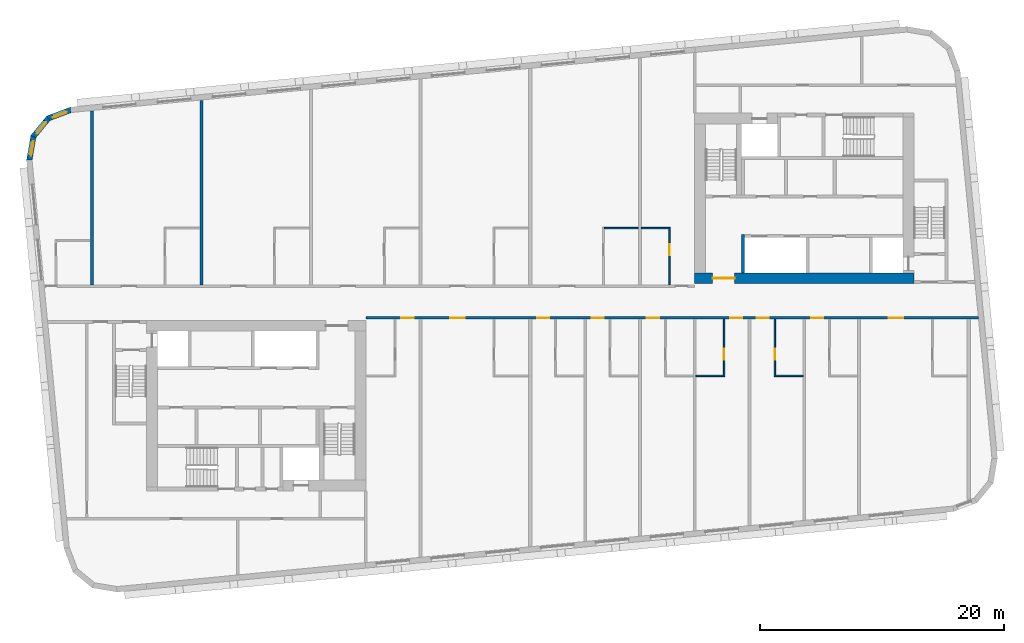
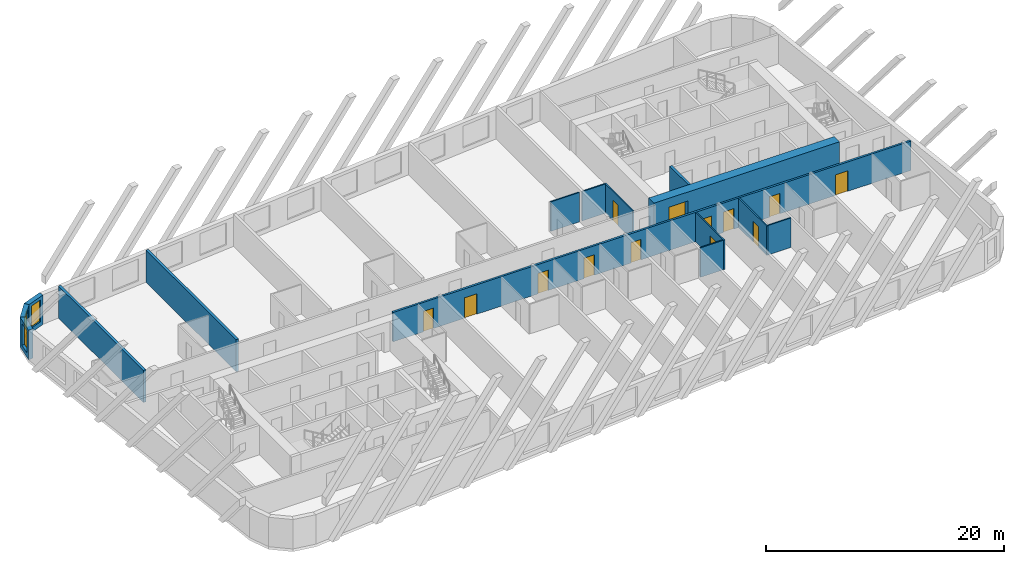
# One storey, part 5 of 12: 15 walls, 13 doors, 3 windows, 16 openings.
"""IFC4 building model written with IfcOpenShell, lengths in metres."""

from ifc_helpers import new_model, si_unit, direction, frame, frame_2d, origin, place, context, subcontext, project, spatial, polyline, rectangle, outline, extrude, material, layer, layer_set, type_object, element, fill, save


model = new_model("IFC4")

# Units and contexts
model_context = context("Model", 3, precision=1e-05, world=origin(), true_north=direction((0.0, 1.0)))
body_context = subcontext(model_context, "Body", "Model", "MODEL_VIEW")
ifc_project = project(units=[si_unit("LENGTHUNIT", "METRE"), si_unit("AREAUNIT", "SQUARE_METRE"), si_unit("VOLUMEUNIT", "CUBIC_METRE"), si_unit("PLANEANGLEUNIT", "RADIAN"), si_unit("MASSUNIT", "GRAM", prefix="KILO")], contexts=[model_context])

# Site, building, storey
site_placement = place(None, origin())
site = spatial("IfcSite", under=ifc_project, at=site_placement, CompositionType="ELEMENT")
building_placement = place(site_placement, origin())
building = spatial("IfcBuilding", under=site, at=building_placement, Name="Kajstack Hotel Tower", CompositionType="ELEMENT")
storey_placement = place(building_placement, frame((0.0, 0.0, 278.39990234375)))
storey = spatial("IfcBuildingStorey", under=building, at=storey_placement, Name="L69", CompositionType="ELEMENT", Elevation=278.39990234375)

# Wall, opening, door
ifc_material_1 = material(Name="Concrete C60/75", Category="concrete")
ifc_layer_1 = layer(ifc_material_1, 0.89990234375)
ifc_layer_set_1 = layer_set([ifc_layer_1], Name="Core wall 900")
wall_type_1 = type_object("IfcWallType", Name="Core wall 900", PredefinedType="SHEAR", material=ifc_layer_set_1)
wall_1_placement = place(storey_placement, frame((13.5, 1.949951171875, 0.0), z_axis=(0.0, 0.0, 1.0), x_axis=(1.0, 0.0, 0.0)))
wall_1 = element("IfcWall", 1, at=wall_1_placement, inside=storey, type_object=wall_type_1, Name="Core wall E RN", PredefinedType="SHEAR", context=body_context, shape_type="SweptSolid", body=[
    extrude(rectangle(XDim=18.0, YDim=0.89990234375, at=frame_2d((9.0, 0.0))), origin(), (0.0, 0.0, 1.0), 3.02001953125),
])
opening_1_placement = place(wall_1_placement, frame((1.47509765625, 0.0, 0.0)))
opening_1 = element("IfcOpeningElement", 2, at=opening_1_placement, cuts=wall_1, Name="Opening 69E05", PredefinedType="OPENING", context=body_context, shape_type="SweptSolid", body=[
    extrude(rectangle(XDim=1.800048828125, YDim=2.10009765625, at=frame_2d((0.89990234375, 1.050048828125))), frame((0.0, 0.4599609375, 0.0), z_axis=(0.0, -1.0, 0.0), x_axis=(1.0, 0.0, 0.0)), (0.0, 0.0, 1.0), 0.919921875),
])
ifc_material_2 = material(Name="Glazed steel frame, fire-rated glass", Category="steel")
door_type_1 = type_object("IfcDoorType", Name="Lobby double door 1800", OperationType="DOUBLE_DOOR_DOUBLE_SWING", PredefinedType="DOOR", material=ifc_material_2)
door_1_placement = place(opening_1_placement, origin())
door_1 = element("IfcDoor", 3, at=door_1_placement, inside=storey, type_object=door_type_1, Name="Door 69E05", OperationType="DOUBLE_DOOR_DOUBLE_SWING", OverallHeight=2.10009765625, OverallWidth=1.800048828125, PredefinedType="DOOR", context=body_context, shape_type="SweptSolid", body=[
    extrude(rectangle(XDim=1.800048828125, YDim=2.10009765625, at=frame_2d((0.89990234375, 1.050048828125))), frame((0.0, 0.02490234375, 0.0), z_axis=(0.0, -1.0, 0.0), x_axis=(1.0, 0.0, 0.0)), (0.0, 0.0, 1.0), 0.050048828125),
])
fill(opening_1, door_1)

# Wall, openings, doors
ifc_material_3 = material(Name="Gypsum board on steel studs, mineral wool", Category="steel")
ifc_layer_2 = layer(ifc_material_3, 0.199951171875)
ifc_layer_set_2 = layer_set([ifc_layer_2], Name="Corridor wall 200")
wall_type_2 = type_object("IfcWallType", Name="Corridor wall 200", PredefinedType="PARTITIONING", material=ifc_layer_set_2)
wall_2_placement = place(storey_placement, frame((-13.5, -1.300048828125, 0.0), z_axis=(0.0, 0.0, 1.0), x_axis=(1.0, 0.0, 0.0)))
wall_2 = element("IfcWall", 4, at=wall_2_placement, inside=storey, type_object=wall_type_2, Name="G-wall-L69-018", PredefinedType="PARTITIONING", context=body_context, shape_type="SweptSolid", body=[
    extrude(rectangle(XDim=50.29296875, YDim=0.199951171875, at=frame_2d((25.146484375, 0.0))), origin(), (0.0, 0.0, 1.0), 3.02001953125),
])
opening_2_placement = place(wall_2_placement, frame((2.925048828125, 0.0, 0.0)))
opening_2 = element("IfcOpeningElement", 5, at=opening_2_placement, cuts=wall_2, Name="Opening 69015", PredefinedType="OPENING", context=body_context, shape_type="SweptSolid", body=[
    extrude(rectangle(XDim=1.0, YDim=2.10009765625, at=frame_2d((0.5, 1.050048828125))), frame((0.0, 0.10986328125, 0.0), z_axis=(0.0, -1.0, 0.0), x_axis=(1.0, 0.0, 0.0)), (0.0, 0.0, 1.0), 0.219970703125),
])
opening_3_placement = place(wall_2_placement, frame((6.93798828125, 0.0, 0.0)))
opening_3 = element("IfcOpeningElement", 6, at=opening_3_placement, cuts=wall_2, Name="Opening 69017", PredefinedType="OPENING", context=body_context, shape_type="SweptSolid", body=[
    extrude(rectangle(XDim=1.199951171875, YDim=2.10009765625, at=frame_2d((0.60009765625, 1.050048828125))), frame((0.0, 0.10986328125, 0.0), z_axis=(0.0, -1.0, 0.0), x_axis=(1.0, 0.0, 0.0)), (0.0, 0.0, 1.0), 0.219970703125),
])
opening_4_placement = place(wall_2_placement, frame((14.074951171875, 0.0, 0.0)))
opening_4 = element("IfcOpeningElement", 7, at=opening_4_placement, cuts=wall_2, Name="Opening 69019", PredefinedType="OPENING", context=body_context, shape_type="SweptSolid", body=[
    extrude(rectangle(XDim=1.0, YDim=2.10009765625, at=frame_2d((0.5, 1.050048828125))), frame((0.0, 0.10986328125, 0.0), z_axis=(0.0, -1.0, 0.0), x_axis=(1.0, 0.0, 0.0)), (0.0, 0.0, 1.0), 0.219970703125),
])
opening_5_placement = place(wall_2_placement, frame((18.550048828125, 0.0, 0.0)))
opening_5 = element("IfcOpeningElement", 8, at=opening_5_placement, cuts=wall_2, Name="Opening 69021", PredefinedType="OPENING", context=body_context, shape_type="SweptSolid", body=[
    extrude(rectangle(XDim=1.0, YDim=2.10009765625, at=frame_2d((0.5, 1.050048828125))), frame((0.0, 0.10986328125, 0.0), z_axis=(0.0, -1.0, 0.0), x_axis=(1.0, 0.0, 0.0)), (0.0, 0.0, 1.0), 0.219970703125),
])
opening_6_placement = place(wall_2_placement, frame((23.074951171875, 0.0, 0.0)))
opening_6 = element("IfcOpeningElement", 9, at=opening_6_placement, cuts=wall_2, Name="Opening 69023", PredefinedType="OPENING", context=body_context, shape_type="SweptSolid", body=[
    extrude(rectangle(XDim=1.0, YDim=2.10009765625, at=frame_2d((0.5, 1.050048828125))), frame((0.0, 0.10986328125, 0.0), z_axis=(0.0, -1.0, 0.0), x_axis=(1.0, 0.0, 0.0)), (0.0, 0.0, 1.0), 0.219970703125),
])
opening_7_placement = place(wall_2_placement, frame((29.925048828125, 0.0, 0.0)))
opening_7 = element("IfcOpeningElement", 10, at=opening_7_placement, cuts=wall_2, Name="Opening 69025", PredefinedType="OPENING", context=body_context, shape_type="SweptSolid", body=[
    extrude(rectangle(XDim=1.0, YDim=2.10009765625, at=frame_2d((0.5, 1.050048828125))), frame((0.0, 0.10986328125, 0.0), z_axis=(0.0, -1.0, 0.0), x_axis=(1.0, 0.0, 0.0)), (0.0, 0.0, 1.0), 0.219970703125),
])
opening_8_placement = place(wall_2_placement, frame((32.074951171875, 0.0, 0.0)))
opening_8 = element("IfcOpeningElement", 11, at=opening_8_placement, cuts=wall_2, Name="Opening 69027", PredefinedType="OPENING", context=body_context, shape_type="SweptSolid", body=[
    extrude(rectangle(XDim=1.0, YDim=2.10009765625, at=frame_2d((0.5, 1.050048828125))), frame((0.0, 0.10986328125, 0.0), z_axis=(0.0, -1.0, 0.0), x_axis=(1.0, 0.0, 0.0)), (0.0, 0.0, 1.0), 0.219970703125),
])
opening_9_placement = place(wall_2_placement, frame((36.550048828125, 0.0, 0.0)))
opening_9 = element("IfcOpeningElement", 12, at=opening_9_placement, cuts=wall_2, Name="Opening 69029", PredefinedType="OPENING", context=body_context, shape_type="SweptSolid", body=[
    extrude(rectangle(XDim=1.0, YDim=2.10009765625, at=frame_2d((0.5, 1.050048828125))), frame((0.0, 0.10986328125, 0.0), z_axis=(0.0, -1.0, 0.0), x_axis=(1.0, 0.0, 0.0)), (0.0, 0.0, 1.0), 0.219970703125),
])
opening_10_placement = place(wall_2_placement, frame((42.93798828125, 0.0, 0.0)))
opening_10 = element("IfcOpeningElement", 13, at=opening_10_placement, cuts=wall_2, Name="Opening 69031", PredefinedType="OPENING", context=body_context, shape_type="SweptSolid", body=[
    extrude(rectangle(XDim=1.199951171875, YDim=2.10009765625, at=frame_2d((0.60009765625, 1.050048828125))), frame((0.0, 0.10986328125, 0.0), z_axis=(0.0, -1.0, 0.0), x_axis=(1.0, 0.0, 0.0)), (0.0, 0.0, 1.0), 0.219970703125),
])
ifc_material_4 = material(Name="Oak veneer on timber core, fire-rated leaf", Category="wood")
door_type_2 = type_object("IfcDoorType", Name="Flat entrance door 1000", OperationType="SINGLE_SWING_LEFT", PredefinedType="DOOR", material=ifc_material_4)
door_2_placement = place(opening_2_placement, origin())
door_2 = element("IfcDoor", 14, at=door_2_placement, inside=storey, type_object=door_type_2, Name="G-door-L69-15", OperationType="SINGLE_SWING_LEFT", OverallHeight=2.10009765625, OverallWidth=1.0, PredefinedType="DOOR", context=body_context, shape_type="SweptSolid", body=[
    extrude(rectangle(XDim=1.0, YDim=2.10009765625, at=frame_2d((0.5, 1.050048828125))), frame((0.0, 0.02490234375, 0.0), z_axis=(0.0, -1.0, 0.0), x_axis=(1.0, 0.0, 0.0)), (0.0, 0.0, 1.0), 0.050048828125),
])
fill(opening_2, door_2)
door_3_placement = place(opening_4_placement, origin())
door_3 = element("IfcDoor", 15, at=door_3_placement, inside=storey, type_object=door_type_2, Name="G-door-L69-19", OperationType="SINGLE_SWING_LEFT", OverallHeight=2.10009765625, OverallWidth=1.0, PredefinedType="DOOR", context=body_context, shape_type="SweptSolid", body=[
    extrude(rectangle(XDim=1.0, YDim=2.10009765625, at=frame_2d((0.5, 1.050048828125))), frame((0.0, 0.02490234375, 0.0), z_axis=(0.0, -1.0, 0.0), x_axis=(1.0, 0.0, 0.0)), (0.0, 0.0, 1.0), 0.050048828125),
])
fill(opening_4, door_3)
door_4_placement = place(opening_5_placement, origin())
door_4 = element("IfcDoor", 16, at=door_4_placement, inside=storey, type_object=door_type_2, Name="G-door-L69-21", OperationType="SINGLE_SWING_RIGHT", OverallHeight=2.10009765625, OverallWidth=1.0, PredefinedType="DOOR", context=body_context, shape_type="SweptSolid", body=[
    extrude(rectangle(XDim=1.0, YDim=2.10009765625, at=frame_2d((0.5, 1.050048828125))), frame((0.0, 0.02490234375, 0.0), z_axis=(0.0, -1.0, 0.0), x_axis=(1.0, 0.0, 0.0)), (0.0, 0.0, 1.0), 0.050048828125),
])
fill(opening_5, door_4)
door_5_placement = place(opening_6_placement, origin())
door_5 = element("IfcDoor", 17, at=door_5_placement, inside=storey, type_object=door_type_2, Name="G-door-L69-23", OperationType="SINGLE_SWING_LEFT", OverallHeight=2.10009765625, OverallWidth=1.0, PredefinedType="DOOR", context=body_context, shape_type="SweptSolid", body=[
    extrude(rectangle(XDim=1.0, YDim=2.10009765625, at=frame_2d((0.5, 1.050048828125))), frame((0.0, 0.02490234375, 0.0), z_axis=(0.0, -1.0, 0.0), x_axis=(1.0, 0.0, 0.0)), (0.0, 0.0, 1.0), 0.050048828125),
])
fill(opening_6, door_5)
door_6_placement = place(opening_7_placement, origin())
door_6 = element("IfcDoor", 18, at=door_6_placement, inside=storey, type_object=door_type_2, Name="G-door-L69-25", OperationType="SINGLE_SWING_LEFT", OverallHeight=2.10009765625, OverallWidth=1.0, PredefinedType="DOOR", context=body_context, shape_type="SweptSolid", body=[
    extrude(rectangle(XDim=1.0, YDim=2.10009765625, at=frame_2d((0.5, 1.050048828125))), frame((0.0, 0.02490234375, 0.0), z_axis=(0.0, -1.0, 0.0), x_axis=(1.0, 0.0, 0.0)), (0.0, 0.0, 1.0), 0.050048828125),
])
fill(opening_7, door_6)
door_7_placement = place(opening_8_placement, origin())
door_7 = element("IfcDoor", 19, at=door_7_placement, inside=storey, type_object=door_type_2, Name="G-door-L69-27", OperationType="SINGLE_SWING_RIGHT", OverallHeight=2.10009765625, OverallWidth=1.0, PredefinedType="DOOR", context=body_context, shape_type="SweptSolid", body=[
    extrude(rectangle(XDim=1.0, YDim=2.10009765625, at=frame_2d((0.5, 1.050048828125))), frame((0.0, 0.02490234375, 0.0), z_axis=(0.0, -1.0, 0.0), x_axis=(1.0, 0.0, 0.0)), (0.0, 0.0, 1.0), 0.050048828125),
])
fill(opening_8, door_7)
door_8_placement = place(opening_9_placement, origin())
door_8 = element("IfcDoor", 20, at=door_8_placement, inside=storey, type_object=door_type_2, Name="G-door-L69-29", OperationType="SINGLE_SWING_RIGHT", OverallHeight=2.10009765625, OverallWidth=1.0, PredefinedType="DOOR", context=body_context, shape_type="SweptSolid", body=[
    extrude(rectangle(XDim=1.0, YDim=2.10009765625, at=frame_2d((0.5, 1.050048828125))), frame((0.0, 0.02490234375, 0.0), z_axis=(0.0, -1.0, 0.0), x_axis=(1.0, 0.0, 0.0)), (0.0, 0.0, 1.0), 0.050048828125),
])
fill(opening_9, door_8)
door_type_3 = type_object("IfcDoorType", Name="Flat entrance door 1200", OperationType="SINGLE_SWING_LEFT", PredefinedType="DOOR", material=ifc_material_4)
door_9_placement = place(opening_3_placement, origin())
door_9 = element("IfcDoor", 21, at=door_9_placement, inside=storey, type_object=door_type_3, Name="G-door-L69-17", OperationType="SINGLE_SWING_LEFT", OverallHeight=2.10009765625, OverallWidth=1.199951171875, PredefinedType="DOOR", context=body_context, shape_type="SweptSolid", body=[
    extrude(rectangle(XDim=1.199951171875, YDim=2.10009765625, at=frame_2d((0.60009765625, 1.050048828125))), frame((0.0, 0.02490234375, 0.0), z_axis=(0.0, -1.0, 0.0), x_axis=(1.0, 0.0, 0.0)), (0.0, 0.0, 1.0), 0.050048828125),
])
fill(opening_3, door_9)
door_10_placement = place(opening_10_placement, origin())
door_10 = element("IfcDoor", 22, at=door_10_placement, inside=storey, type_object=door_type_3, Name="G-door-L69-31", OperationType="SINGLE_SWING_LEFT", OverallHeight=2.10009765625, OverallWidth=1.199951171875, PredefinedType="DOOR", context=body_context, shape_type="SweptSolid", body=[
    extrude(rectangle(XDim=1.199951171875, YDim=2.10009765625, at=frame_2d((0.60009765625, 1.050048828125))), frame((0.0, 0.02490234375, 0.0), z_axis=(0.0, -1.0, 0.0), x_axis=(1.0, 0.0, 0.0)), (0.0, 0.0, 1.0), 0.050048828125),
])
fill(opening_10, door_10)

# Wall, opening, window
ifc_material_5 = material(Name="Terracotta-faced brick masonry", Category="masonry")
ifc_layer_3 = layer(ifc_material_5, 0.449951171875)
ifc_layer_set_3 = layer_set([ifc_layer_3], Name="EW-TERRA")
wall_type_3 = type_object("IfcWallType", Name="EW-TERRA", PredefinedType="SOLIDWALL", material=ifc_layer_set_3)
wall_3_placement = place(storey_placement, frame((-37.67919921875, 15.79052734375, 0.0), z_axis=(0.0, 0.0, 1.0), x_axis=(-0.936677599948, -0.350192909346, 0.0)))
wall_3 = element("IfcWall", 23, at=wall_3_placement, inside=storey, type_object=wall_type_3, Name="E-wall-L69-13-00", PredefinedType="SOLIDWALL", context=body_context, shape_type="SweptSolid", body=[
    extrude(outline(polyline([(0.000244140625, -0.224853515625), (2.070556640625, -0.224853515625), (1.949951171875, 0.22509765625), (0.12060546875, 0.22509765625), (0.000244140625, -0.224853515625)])), origin(), (0.0, 0.0, 1.0), 3.02001953125),
])
opening_11_placement = place(wall_3_placement, frame((0.435302734375, 0.0, 0.449951171875)))
opening_11 = element("IfcOpeningElement", 24, at=opening_11_placement, cuts=wall_3, Name="Opening W3", PredefinedType="OPENING", context=body_context, shape_type="SweptSolid", body=[
    extrude(rectangle(XDim=1.199951171875, YDim=2.25, at=frame_2d((0.60009765625, 1.125))), frame((0.0, 0.23486328125, 0.0), z_axis=(0.0, -1.0, 0.0), x_axis=(1.0, 0.0, 0.0)), (0.0, 0.0, 1.0), 0.469970703125),
])
ifc_material_6 = material(Name="Timber-aluminium window, triple glazed", Category="wood")
window_type = type_object("IfcWindowType", Name="WG3", PartitioningType="SINGLE_PANEL", PredefinedType="WINDOW", material=ifc_material_6)
window_1_placement = place(opening_11_placement, origin())
window_1 = element("IfcWindow", 25, at=window_1_placement, inside=storey, type_object=window_type, Name="Window W3 L69-13", OverallHeight=2.25, OverallWidth=1.199951171875, PartitioningType="SINGLE_PANEL", PredefinedType="WINDOW", context=body_context, shape_type="SweptSolid", body=[
    extrude(rectangle(XDim=1.199951171875, YDim=2.25, at=frame_2d((0.60009765625, 1.125))), frame((0.0, 0.090087890625, 0.0), z_axis=(0.0, -1.0, 0.0), x_axis=(1.0, 0.0, 0.0)), (0.0, 0.0, 1.0), 0.06005859375),
])
fill(opening_11, window_1)

wall_4_placement = place(storey_placement, frame((-39.52392578125, 15.133056640625, 0.0), z_axis=(0.0, 0.0, 1.0), x_axis=(-0.636046112757, -0.771651049663, 0.0)))
wall_4 = element("IfcWall", 26, at=wall_4_placement, inside=storey, type_object=wall_type_3, Name="E-wall-L69-14-00", PredefinedType="SOLIDWALL", context=body_context, shape_type="SweptSolid", body=[
    extrude(outline(polyline([(0.0, -0.224853515625), (2.070556640625, -0.224853515625), (1.949951171875, 0.22509765625), (0.12060546875, 0.22509765625), (0.0, -0.224853515625)])), origin(), (0.0, 0.0, 1.0), 3.02001953125),
])
opening_12_placement = place(wall_4_placement, frame((0.435302734375, 0.0, 0.449951171875)))
opening_12 = element("IfcOpeningElement", 27, at=opening_12_placement, cuts=wall_4, Name="Opening W3", PredefinedType="OPENING", context=body_context, shape_type="SweptSolid", body=[
    extrude(rectangle(XDim=1.199951171875, YDim=2.25, at=frame_2d((0.60009765625, 1.125))), frame((0.0, 0.23486328125, 0.0), z_axis=(0.0, -1.0, 0.0), x_axis=(1.0, 0.0, 0.0)), (0.0, 0.0, 1.0), 0.469970703125),
])
window_2_placement = place(opening_12_placement, origin())
window_2 = element("IfcWindow", 28, at=window_2_placement, inside=storey, type_object=window_type, Name="Window W3 L69-14", OverallHeight=2.25, OverallWidth=1.199951171875, PartitioningType="SINGLE_PANEL", PredefinedType="WINDOW", context=body_context, shape_type="SweptSolid", body=[
    extrude(rectangle(XDim=1.199951171875, YDim=2.25, at=frame_2d((0.60009765625, 1.125))), frame((0.0, 0.090087890625, 0.0), z_axis=(0.0, -1.0, 0.0), x_axis=(1.0, 0.0, 0.0)), (0.0, 0.0, 1.0), 0.06005859375),
])
fill(opening_12, window_2)

wall_5_placement = place(storey_placement, frame((-40.79248046875, 13.641357421875, 0.0), z_axis=(0.0, 0.0, 1.0), x_axis=(-0.165068144653, -0.986282164302, 0.0)))
wall_5 = element("IfcWall", 29, at=wall_5_placement, inside=storey, type_object=wall_type_3, Name="E-wall-L69-15-00", PredefinedType="SOLIDWALL", context=body_context, shape_type="SweptSolid", body=[
    extrude(outline(polyline([(0.0, -0.22509765625), (2.070556640625, -0.22509765625), (1.949951171875, 0.224853515625), (0.12060546875, 0.224853515625), (0.0, -0.22509765625)])), origin(), (0.0, 0.0, 1.0), 3.02001953125),
])
opening_13_placement = place(wall_5_placement, frame((0.435302734375, 0.0, 0.449951171875)))
opening_13 = element("IfcOpeningElement", 30, at=opening_13_placement, cuts=wall_5, Name="Opening W3", PredefinedType="OPENING", context=body_context, shape_type="SweptSolid", body=[
    extrude(rectangle(XDim=1.199951171875, YDim=2.25, at=frame_2d((0.60009765625, 1.125))), frame((0.0, 0.23486328125, 0.0), z_axis=(0.0, -1.0, 0.0), x_axis=(1.0, 0.0, 0.0)), (0.0, 0.0, 1.0), 0.469970703125),
])
window_3_placement = place(opening_13_placement, origin())
window_3 = element("IfcWindow", 31, at=window_3_placement, inside=storey, type_object=window_type, Name="Window W3 L69-15", OverallHeight=2.25, OverallWidth=1.199951171875, PartitioningType="SINGLE_PANEL", PredefinedType="WINDOW", context=body_context, shape_type="SweptSolid", body=[
    extrude(rectangle(XDim=1.199951171875, YDim=2.25, at=frame_2d((0.60009765625, 1.125))), frame((0.0, 0.090087890625, 0.0), z_axis=(0.0, -1.0, 0.0), x_axis=(1.0, 0.0, 0.0)), (0.0, 0.0, 1.0), 0.06005859375),
])
fill(opening_13, window_3)

# Wall
ifc_material_7 = material(Name="Gypsum board and tiled backer on steel studs", Category="steel")
ifc_layer_4 = layer(ifc_material_7, 0.125)
ifc_layer_set_4 = layer_set([ifc_layer_4], Name="En-suite wall 125")
wall_type_4 = type_object("IfcWallType", Name="En-suite wall 125", PredefinedType="PARTITIONING", material=ifc_layer_set_4)
wall_6_placement = place(storey_placement, frame((6.074951171875, 6.06201171875, 0.0), z_axis=(0.0, 0.0, 1.0), x_axis=(1.0, 0.0, 0.0)))
element("IfcWall", 32, at=wall_6_placement, inside=storey, type_object=wall_type_4, Name="G-wall-L69-015", PredefinedType="PARTITIONING", context=body_context, shape_type="SweptSolid", body=[
    extrude(rectangle(XDim=2.800048828125, YDim=0.125, at=frame_2d((1.39990234375, 0.0))), origin(), (0.0, 0.0, 1.0), 3.02001953125),
])

# Wall, opening, door
wall_7_placement = place(storey_placement, frame((11.43798828125, 1.39990234375, 0.0), z_axis=(0.0, 0.0, 1.0), x_axis=(0.0, 1.0, 0.0)))
wall_7 = element("IfcWall", 33, at=wall_7_placement, inside=storey, type_object=wall_type_4, Name="G-wall-L69-016", PredefinedType="PARTITIONING", context=body_context, shape_type="SweptSolid", body=[
    extrude(rectangle(XDim=4.72509765625, YDim=0.125, at=frame_2d((2.362548828125, 0.0))), origin(), (0.0, 0.0, 1.0), 3.02001953125),
])
opening_14_placement = place(wall_7_placement, frame((2.449951171875, 0.0, 0.0)))
opening_14 = element("IfcOpeningElement", 34, at=opening_14_placement, cuts=wall_7, Name="Opening 69014", PredefinedType="OPENING", context=body_context, shape_type="SweptSolid", body=[
    extrude(rectangle(XDim=0.89990234375, YDim=2.10009765625, at=frame_2d((0.449951171875, 1.050048828125))), frame((0.0, 0.072509765625, 0.0), z_axis=(0.0, -1.0, 0.0), x_axis=(1.0, 0.0, 0.0)), (0.0, 0.0, 1.0), 0.14501953125),
])
ifc_material_8 = material(Name="Painted timber door leaf", Category="wood")
door_type_4 = type_object("IfcDoorType", Name="Room door 900", OperationType="SINGLE_SWING_LEFT", PredefinedType="DOOR", material=ifc_material_8)
door_11_placement = place(opening_14_placement, origin())
door_11 = element("IfcDoor", 35, at=door_11_placement, inside=storey, type_object=door_type_4, Name="G-door-L69-14", OperationType="SINGLE_SWING_LEFT", OverallHeight=2.10009765625, OverallWidth=0.89990234375, PredefinedType="DOOR", context=body_context, shape_type="SweptSolid", body=[
    extrude(rectangle(XDim=0.89990234375, YDim=2.10009765625, at=frame_2d((0.449951171875, 1.050048828125))), frame((0.0, 0.02490234375, 0.0), z_axis=(0.0, -1.0, 0.0), x_axis=(1.0, 0.0, 0.0)), (0.0, 0.0, 1.0), 0.050048828125),
])
fill(opening_14, door_11)

# Wall
wall_8_placement = place(storey_placement, frame((9.125, 6.06201171875, 0.0), z_axis=(0.0, 0.0, 1.0), x_axis=(1.0, 0.0, 0.0)))
element("IfcWall", 36, at=wall_8_placement, inside=storey, type_object=wall_type_4, Name="G-wall-L69-017", PredefinedType="PARTITIONING", context=body_context, shape_type="SweptSolid", body=[
    extrude(rectangle(XDim=2.25, YDim=0.125, at=frame_2d((1.125, 0.0))), origin(), (0.0, 0.0, 1.0), 3.02001953125),
])

# Wall, opening, door
wall_9_placement = place(storey_placement, frame((15.912109375, -6.125, 0.0), z_axis=(0.0, 0.0, 1.0), x_axis=(0.0, 1.0, 0.0)))
wall_9 = element("IfcWall", 37, at=wall_9_placement, inside=storey, type_object=wall_type_4, Name="G-wall-L69-031", PredefinedType="PARTITIONING", context=body_context, shape_type="SweptSolid", body=[
    extrude(rectangle(XDim=4.72509765625, YDim=0.125, at=frame_2d((2.362548828125, 0.0))), origin(), (0.0, 0.0, 1.0), 3.02001953125),
])
opening_15_placement = place(wall_9_placement, frame((1.375, 0.0, 0.0)))
opening_15 = element("IfcOpeningElement", 38, at=opening_15_placement, cuts=wall_9, Name="Opening 69026", PredefinedType="OPENING", context=body_context, shape_type="SweptSolid", body=[
    extrude(rectangle(XDim=0.89990234375, YDim=2.10009765625, at=frame_2d((0.449951171875, 1.050048828125))), frame((0.0, 0.072509765625, 0.0), z_axis=(0.0, -1.0, 0.0), x_axis=(1.0, 0.0, 0.0)), (0.0, 0.0, 1.0), 0.14501953125),
])
door_12_placement = place(opening_15_placement, origin())
door_12 = element("IfcDoor", 39, at=door_12_placement, inside=storey, type_object=door_type_4, Name="G-door-L69-26", OperationType="SINGLE_SWING_RIGHT", OverallHeight=2.10009765625, OverallWidth=0.89990234375, PredefinedType="DOOR", context=body_context, shape_type="SweptSolid", body=[
    extrude(rectangle(XDim=0.89990234375, YDim=2.10009765625, at=frame_2d((0.449951171875, 1.050048828125))), frame((0.0, 0.02490234375, 0.0), z_axis=(0.0, -1.0, 0.0), x_axis=(1.0, 0.0, 0.0)), (0.0, 0.0, 1.0), 0.050048828125),
])
fill(opening_15, door_12)

# Wall
wall_10_placement = place(storey_placement, frame((13.60009765625, -6.06201171875, 0.0), z_axis=(0.0, 0.0, 1.0), x_axis=(1.0, 0.0, 0.0)))
element("IfcWall", 40, at=wall_10_placement, inside=storey, type_object=wall_type_4, Name="G-wall-L69-032", PredefinedType="PARTITIONING", context=body_context, shape_type="SweptSolid", body=[
    extrude(rectangle(XDim=2.25, YDim=0.125, at=frame_2d((1.125, 0.0))), origin(), (0.0, 0.0, 1.0), 3.02001953125),
])

# Wall, opening, door
wall_11_placement = place(storey_placement, frame((20.0869140625, -6.125, 0.0), z_axis=(0.0, 0.0, 1.0), x_axis=(0.0, 1.0, 0.0)))
wall_11 = element("IfcWall", 41, at=wall_11_placement, inside=storey, type_object=wall_type_4, Name="G-wall-L69-034", PredefinedType="PARTITIONING", context=body_context, shape_type="SweptSolid", body=[
    extrude(rectangle(XDim=4.72509765625, YDim=0.125, at=frame_2d((2.362548828125, 0.0))), origin(), (0.0, 0.0, 1.0), 3.02001953125),
])
opening_16_placement = place(wall_11_placement, frame((1.375, 0.0, 0.0)))
opening_16 = element("IfcOpeningElement", 42, at=opening_16_placement, cuts=wall_11, Name="Opening 69028", PredefinedType="OPENING", context=body_context, shape_type="SweptSolid", body=[
    extrude(rectangle(XDim=0.89990234375, YDim=2.10009765625, at=frame_2d((0.449951171875, 1.050048828125))), frame((0.0, 0.072509765625, 0.0), z_axis=(0.0, -1.0, 0.0), x_axis=(1.0, 0.0, 0.0)), (0.0, 0.0, 1.0), 0.14501953125),
])
door_13_placement = place(opening_16_placement, origin())
door_13 = element("IfcDoor", 43, at=door_13_placement, inside=storey, type_object=door_type_4, Name="G-door-L69-28", OperationType="SINGLE_SWING_LEFT", OverallHeight=2.10009765625, OverallWidth=0.89990234375, PredefinedType="DOOR", context=body_context, shape_type="SweptSolid", body=[
    extrude(rectangle(XDim=0.89990234375, YDim=2.10009765625, at=frame_2d((0.449951171875, 1.050048828125))), frame((0.0, 0.02490234375, 0.0), z_axis=(0.0, -1.0, 0.0), x_axis=(1.0, 0.0, 0.0)), (0.0, 0.0, 1.0), 0.050048828125),
])
fill(opening_16, door_13)

# Walls
wall_12_placement = place(storey_placement, frame((20.14990234375, -6.06201171875, 0.0), z_axis=(0.0, 0.0, 1.0), x_axis=(1.0, 0.0, 0.0)))
element("IfcWall", 44, at=wall_12_placement, inside=storey, type_object=wall_type_4, Name="G-wall-L69-035", PredefinedType="PARTITIONING", context=body_context, shape_type="SweptSolid", body=[
    extrude(rectangle(XDim=2.25, YDim=0.125, at=frame_2d((1.125, 0.0))), origin(), (0.0, 0.0, 1.0), 3.02001953125),
])
ifc_material_9 = material(Name="Concrete C40/50", Category="concrete")
ifc_layer_5 = layer(ifc_material_9, 0.25)
ifc_layer_set_5 = layer_set([ifc_layer_5], Name="RC cross wall 250 C40/50")
wall_type_5 = type_object("IfcWallType", Name="RC cross wall 250 C40/50", PredefinedType="SHEAR", material=ifc_layer_set_5)
wall_13_placement = place(storey_placement, frame((-36.0, 1.39990234375, 0.0), z_axis=(0.0, 0.0, 1.0), x_axis=(0.0, 1.0, 0.0)))
element("IfcWall", 45, at=wall_13_placement, inside=storey, type_object=wall_type_5, Name="S-wall-L69-01", PredefinedType="SHEAR", context=body_context, shape_type="SweptSolid", body=[
    extrude(rectangle(XDim=14.29638671875, YDim=0.25, at=frame_2d((7.148193359375, 0.0))), origin(), (0.0, 0.0, 1.0), 3.300048828125),
])
wall_14_placement = place(storey_placement, frame((-27.0, 1.39990234375, 0.0), z_axis=(0.0, 0.0, 1.0), x_axis=(0.0, 1.0, 0.0)))
element("IfcWall", 46, at=wall_14_placement, inside=storey, type_object=wall_type_5, Name="S-wall-L69-02", PredefinedType="SHEAR", context=body_context, shape_type="SweptSolid", body=[
    extrude(rectangle(XDim=15.1630859375, YDim=0.25, at=frame_2d((7.58154296875, 0.0))), origin(), (0.0, 0.0, 1.0), 3.300048828125),
])
ifc_material_10 = material(Name="Concrete C50/60", Category="concrete")
ifc_layer_6 = layer(ifc_material_10, 0.25)
ifc_layer_set_6 = layer_set([ifc_layer_6], Name="Shaft wall 250")
wall_type_6 = type_object("IfcWallType", Name="Shaft wall 250", PredefinedType="SHEAR", material=ifc_layer_set_6)
wall_15_placement = place(storey_placement, frame((17.47509765625, 2.39990234375, 0.0), z_axis=(0.0, 0.0, 1.0), x_axis=(0.0, 1.0, 0.0)))
element("IfcWall", 47, at=wall_15_placement, inside=storey, type_object=wall_type_6, Name="Core wall E AE", PredefinedType="SHEAR", context=body_context, shape_type="SweptSolid", body=[
    extrude(rectangle(XDim=3.150146484375, YDim=0.25, at=frame_2d((1.5751953125, 0.0))), origin(), (0.0, 0.0, 1.0), 3.02001953125),
])

save(model, "model.ifc")
